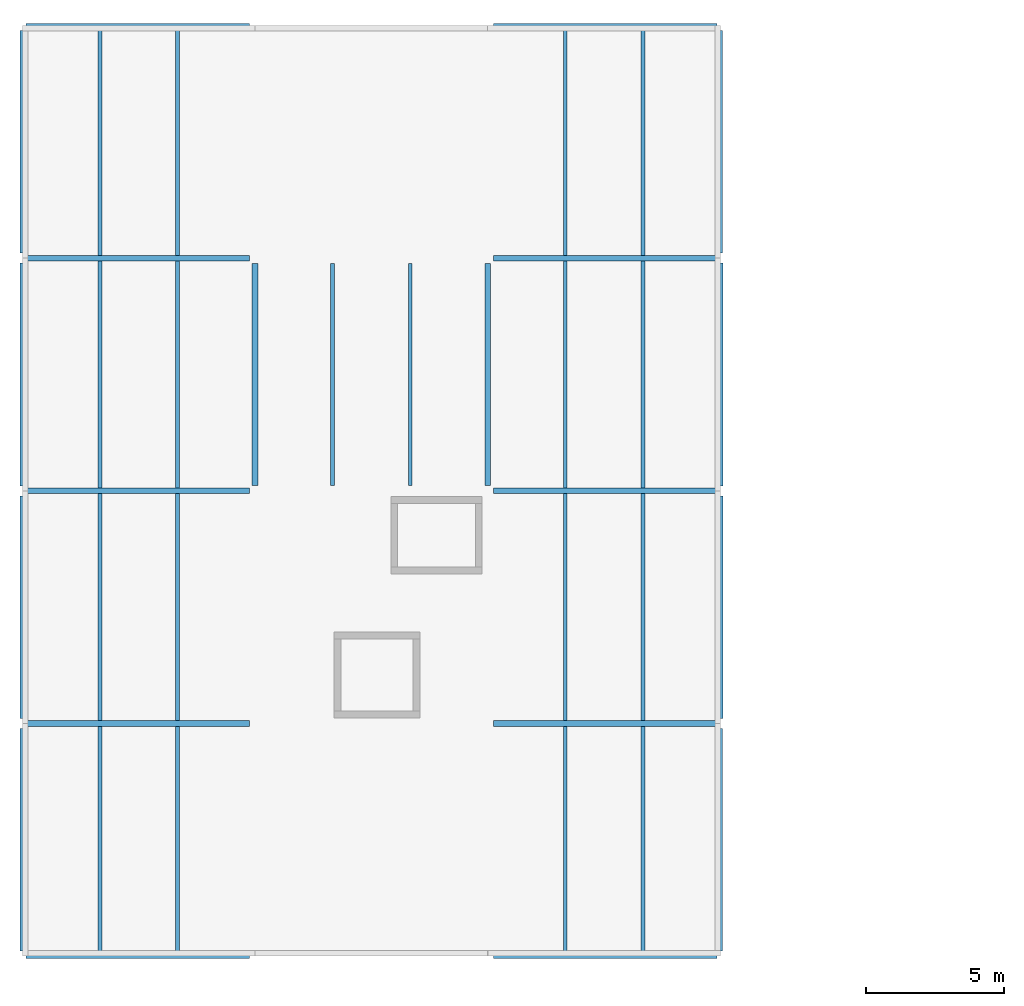
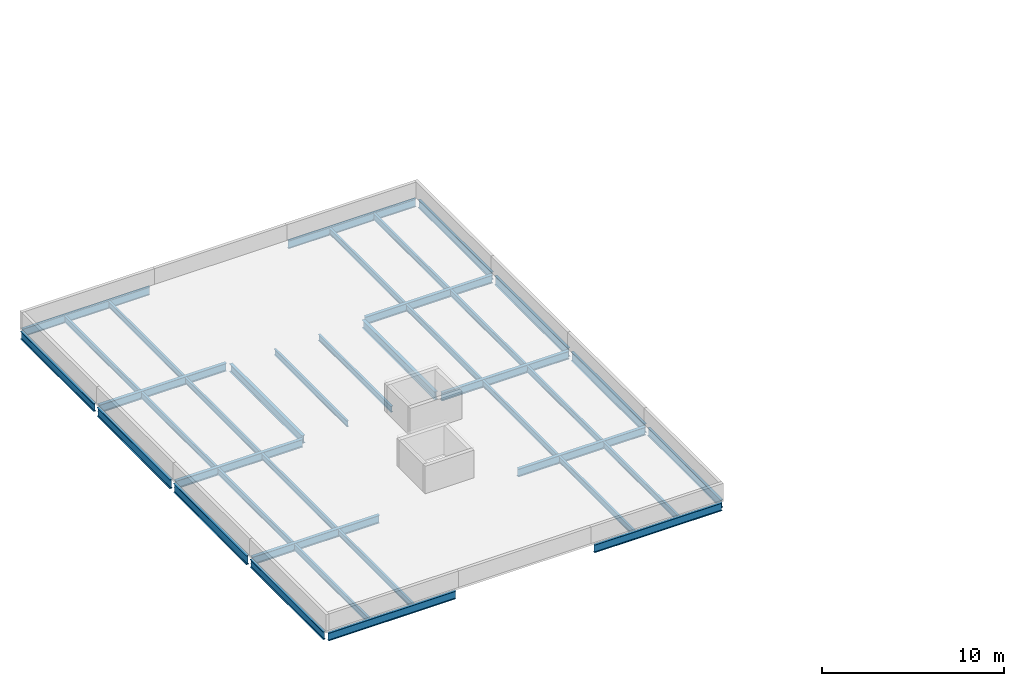
# One storey, part 2 of 14: 38 beams.
"""IFC4 building model written with IfcOpenShell, lengths in metres."""

from ifc_helpers import new_model, si_unit, direction, frame, origin, origin_2d, place, context, subcontext, project, spatial, i_section, extrude, material, material_profile, profile_set, type_object, element, save


model = new_model("IFC4")

# Units and contexts
model_context = context("Model", 3, precision=1e-05, world=origin(), true_north=direction((0.0, 1.0)))
body_context = subcontext(model_context, "Body", "Model", "MODEL_VIEW")
ifc_project = project(units=[si_unit("LENGTHUNIT", "METRE"), si_unit("AREAUNIT", "SQUARE_METRE"), si_unit("VOLUMEUNIT", "CUBIC_METRE"), si_unit("PLANEANGLEUNIT", "RADIAN"), si_unit("MASSUNIT", "GRAM", prefix="KILO")], contexts=[model_context])

# Site, building, storey
site_placement = place(None, origin())
site = spatial("IfcSite", under=ifc_project, at=site_placement, CompositionType="ELEMENT")
building_placement = place(site_placement, origin())
building = spatial("IfcBuilding", under=site, at=building_placement, Name="Hlaing Beacon Police Headquarters", CompositionType="ELEMENT")
storey_placement = place(building_placement, frame((0.0, 0.0, 27.89990234375)))
storey = spatial("IfcBuildingStorey", under=building, at=storey_placement, Name="L06", CompositionType="ELEMENT", Elevation=27.89990234375)

# Beams
ifc_material_1 = material(Name="Steel ASTM A992 Grade 50", Category="steel")
ifc_material_profile_1 = material_profile(ifc_material_1, i_section(OverallWidth=0.1650390625, OverallDepth=0.52587890625, WebThickness=0.0087890625, FlangeThickness=0.011474609375, FilletRadius=0.0126953125, at=origin_2d()), Name="W21x44")
ifc_profile_set_1 = profile_set([ifc_material_profile_1], Name="Steel ASTM A992 Grade 50")
beam_type_1 = type_object("IfcBeamType", Name="Girder W21x44", PredefinedType="BEAM", material=ifc_profile_set_1)
beam_1_placement = place(storey_placement, frame((8.527099609375, 33.60009765625, -0.392822265625), z_axis=(1.0, 0.0, 0.0), x_axis=(0.0, 1.0, 0.0)))
element("IfcBeam", 1, at=beam_1_placement, inside=storey, type_object=beam_type_1, Name="STR-BM-L06-GX-B5-C5", PredefinedType="BEAM", context=body_context, shape_type="SweptSolid", body=[
    extrude(i_section(OverallWidth=0.1650390625, OverallDepth=0.52587890625, WebThickness=0.0087890625, FlangeThickness=0.011474609375, FilletRadius=0.0126953125, at=origin_2d()), origin(), (0.0, 0.0, 1.0), 8.072998046875),
])
beam_2_placement = place(storey_placement, frame((25.39990234375, 33.60009765625, -0.392822265625), z_axis=(1.0, 0.0, 0.0), x_axis=(0.0, 1.0, 0.0)))
element("IfcBeam", 2, at=beam_2_placement, inside=storey, type_object=beam_type_1, Name="STR-BM-L06-GX-D5-E5", PredefinedType="BEAM", context=body_context, shape_type="SweptSolid", body=[
    extrude(i_section(OverallWidth=0.1650390625, OverallDepth=0.52587890625, WebThickness=0.0087890625, FlangeThickness=0.011474609375, FilletRadius=0.0126953125, at=origin_2d()), origin(), (0.0, 0.0, 1.0), 8.072021484375),
])
for number, where, z_axis, x_axis, name in (
    (3, (8.527099609375, 67.199951171875, -0.392822265625), (1.0, 0.0, 0.0), (0.0, 1.0, 0.0), "STR-BM-L06-GX-B9-C9"),
    (4, (25.39990234375, 67.199951171875, -0.392822265625), (1.0, 0.0, 0.0), (0.0, 1.0, 0.0), "STR-BM-L06-GX-D9-E9"),
):
    element("IfcBeam", number, at=place(storey_placement, frame(where, z_axis=z_axis, x_axis=x_axis)), inside=storey, type_object=beam_type_1, Name=name, PredefinedType="BEAM", context=body_context, shape_type="SweptSolid", body=[
        extrude(i_section(OverallWidth=0.1650390625, OverallDepth=0.52587890625, WebThickness=0.0087890625, FlangeThickness=0.011474609375, FilletRadius=0.0126953125, at=origin_2d()), origin(), (0.0, 0.0, 1.0), 8.072998046875),
    ])
for number, where, z_axis, x_axis, name in (
    (5, (8.39990234375, 33.777099609375, -0.392822265625), (0.0, 1.0, 0.0), (-1.0, 0.0, 0.0), "STR-BM-L06-GY-B5-B6"),
    (6, (8.39990234375, 58.98193359375, -0.392822265625), (0.0, 1.0, 0.0), (-1.0, 0.0, 0.0), "STR-BM-L06-GY-B8-B9"),
):
    element("IfcBeam", number, at=place(storey_placement, frame(where, z_axis=z_axis, x_axis=x_axis)), inside=storey, type_object=beam_type_1, Name=name, PredefinedType="BEAM", context=body_context, shape_type="SweptSolid", body=[
        extrude(i_section(OverallWidth=0.1650390625, OverallDepth=0.52587890625, WebThickness=0.0087890625, FlangeThickness=0.011474609375, FilletRadius=0.0126953125, at=origin_2d()), origin(), (0.0, 0.0, 1.0), 8.041015625),
    ])
beam_3_placement = place(storey_placement, frame((33.60009765625, 33.781982421875, -0.392822265625), z_axis=(0.0, 1.0, 0.0), x_axis=(-1.0, 0.0, 0.0)))
element("IfcBeam", 7, at=beam_3_placement, inside=storey, type_object=beam_type_1, Name="STR-BM-L06-GY-E5-E6", PredefinedType="BEAM", context=body_context, shape_type="SweptSolid", body=[
    extrude(i_section(OverallWidth=0.1650390625, OverallDepth=0.52587890625, WebThickness=0.0087890625, FlangeThickness=0.011474609375, FilletRadius=0.0126953125, at=origin_2d()), origin(), (0.0, 0.0, 1.0), 8.0361328125),
])
beam_4_placement = place(storey_placement, frame((33.60009765625, 58.98193359375, -0.392822265625), z_axis=(0.0, 1.0, 0.0), x_axis=(-1.0, 0.0, 0.0)))
element("IfcBeam", 8, at=beam_4_placement, inside=storey, type_object=beam_type_1, Name="STR-BM-L06-GY-E8-E9", PredefinedType="BEAM", context=body_context, shape_type="SweptSolid", body=[
    extrude(i_section(OverallWidth=0.1650390625, OverallDepth=0.52587890625, WebThickness=0.0087890625, FlangeThickness=0.011474609375, FilletRadius=0.0126953125, at=origin_2d()), origin(), (0.0, 0.0, 1.0), 8.041015625),
])
ifc_material_2 = material(Name="Steel ASTM A992 Grade 50", Category="steel")
ifc_material_profile_2 = material_profile(ifc_material_2, i_section(OverallWidth=0.208740234375, OverallDepth=0.5283203125, WebThickness=0.009521484375, FlangeThickness=0.01318359375, FilletRadius=0.0126953125, at=origin_2d()), Name="W21x55")
ifc_profile_set_2 = profile_set([ifc_material_profile_2], Name="Steel ASTM A992 Grade 50")
beam_type_2 = type_object("IfcBeamType", Name="Girder W21x55", PredefinedType="BEAM", material=ifc_profile_set_2)
for number, where, z_axis, x_axis, name in (
    (9, (8.528076171875, 42.0, -0.39404296875), (1.0, 0.0, 0.0), (0.0, 1.0, 0.0), "STR-BM-L06-GX-B6-C6"),
    (10, (25.39990234375, 42.0, -0.39404296875), (1.0, 0.0, 0.0), (0.0, 1.0, 0.0), "STR-BM-L06-GX-D6-E6"),
    (11, (8.528076171875, 50.39990234375, -0.39404296875), (1.0, 0.0, 0.0), (0.0, 1.0, 0.0), "STR-BM-L06-GX-B7-C7"),
    (12, (25.39990234375, 50.39990234375, -0.39404296875), (1.0, 0.0, 0.0), (0.0, 1.0, 0.0), "STR-BM-L06-GX-D7-E7"),
    (13, (8.528076171875, 58.800048828125, -0.39404296875), (1.0, 0.0, 0.0), (0.0, 1.0, 0.0), "STR-BM-L06-GX-B8-C8"),
    (14, (25.39990234375, 58.800048828125, -0.39404296875), (1.0, 0.0, 0.0), (0.0, 1.0, 0.0), "STR-BM-L06-GX-D8-E8"),
):
    element("IfcBeam", number, at=place(storey_placement, frame(where, z_axis=z_axis, x_axis=x_axis)), inside=storey, type_object=beam_type_2, Name=name, PredefinedType="BEAM", context=body_context, shape_type="SweptSolid", body=[
        extrude(i_section(OverallWidth=0.208740234375, OverallDepth=0.5283203125, WebThickness=0.009521484375, FlangeThickness=0.01318359375, FilletRadius=0.0126953125, at=origin_2d()), origin(), (0.0, 0.0, 1.0), 8.072021484375),
    ])
for number, where, z_axis, x_axis, name in (
    (15, (16.800048828125, 50.60009765625, -0.39404296875), (0.0, 1.0, 0.0), (-1.0, 0.0, 0.0), "STR-BM-L06-GY-C7-C8"),
    (16, (25.199951171875, 50.60009765625, -0.39404296875), (0.0, 1.0, 0.0), (-1.0, 0.0, 0.0), "STR-BM-L06-GY-D7-D8"),
):
    element("IfcBeam", number, at=place(storey_placement, frame(where, z_axis=z_axis, x_axis=x_axis)), inside=storey, type_object=beam_type_2, Name=name, PredefinedType="BEAM", context=body_context, shape_type="SweptSolid", body=[
        extrude(i_section(OverallWidth=0.208740234375, OverallDepth=0.5283203125, WebThickness=0.009521484375, FlangeThickness=0.01318359375, FilletRadius=0.0126953125, at=origin_2d()), origin(), (0.0, 0.0, 1.0), 8.0),
    ])
ifc_material_3 = material(Name="Steel ASTM A992 Grade 50", Category="steel")
ifc_material_profile_3 = material_profile(ifc_material_3, i_section(OverallWidth=0.177978515625, OverallDepth=0.599365234375, WebThickness=0.010009765625, FlangeThickness=0.012939453125, FilletRadius=0.012939453125, at=origin_2d()), Name="W24x55")
ifc_profile_set_3 = profile_set([ifc_material_profile_3], Name="Steel ASTM A992 Grade 50")
beam_type_3 = type_object("IfcBeamType", Name="Girder W24x55", PredefinedType="BEAM", material=ifc_profile_set_3)
beam_5_placement = place(storey_placement, frame((8.39990234375, 42.181884765625, -0.4296875), z_axis=(0.0, 1.0, 0.0), x_axis=(-1.0, 0.0, 0.0)))
element("IfcBeam", 17, at=beam_5_placement, inside=storey, type_object=beam_type_3, Name="STR-BM-L06-GY-B6-B7", PredefinedType="BEAM", context=body_context, shape_type="SweptSolid", body=[
    extrude(i_section(OverallWidth=0.177978515625, OverallDepth=0.599365234375, WebThickness=0.010009765625, FlangeThickness=0.012939453125, FilletRadius=0.012939453125, at=origin_2d()), origin(), (0.0, 0.0, 1.0), 8.0361328125),
])
beam_6_placement = place(storey_placement, frame((8.39990234375, 50.58203125, -0.4296875), z_axis=(0.0, 1.0, 0.0), x_axis=(-1.0, 0.0, 0.0)))
element("IfcBeam", 18, at=beam_6_placement, inside=storey, type_object=beam_type_3, Name="STR-BM-L06-GY-B7-B8", PredefinedType="BEAM", context=body_context, shape_type="SweptSolid", body=[
    extrude(i_section(OverallWidth=0.177978515625, OverallDepth=0.599365234375, WebThickness=0.010009765625, FlangeThickness=0.012939453125, FilletRadius=0.012939453125, at=origin_2d()), origin(), (0.0, 0.0, 1.0), 8.035888671875),
])
beam_7_placement = place(storey_placement, frame((33.60009765625, 42.181884765625, -0.4296875), z_axis=(0.0, 1.0, 0.0), x_axis=(-1.0, 0.0, 0.0)))
element("IfcBeam", 19, at=beam_7_placement, inside=storey, type_object=beam_type_3, Name="STR-BM-L06-GY-E6-E7", PredefinedType="BEAM", context=body_context, shape_type="SweptSolid", body=[
    extrude(i_section(OverallWidth=0.177978515625, OverallDepth=0.599365234375, WebThickness=0.010009765625, FlangeThickness=0.012939453125, FilletRadius=0.012939453125, at=origin_2d()), origin(), (0.0, 0.0, 1.0), 8.0361328125),
])
beam_8_placement = place(storey_placement, frame((33.60009765625, 50.58203125, -0.4296875), z_axis=(0.0, 1.0, 0.0), x_axis=(-1.0, 0.0, 0.0)))
element("IfcBeam", 20, at=beam_8_placement, inside=storey, type_object=beam_type_3, Name="STR-BM-L06-GY-E7-E8", PredefinedType="BEAM", context=body_context, shape_type="SweptSolid", body=[
    extrude(i_section(OverallWidth=0.177978515625, OverallDepth=0.599365234375, WebThickness=0.010009765625, FlangeThickness=0.012939453125, FilletRadius=0.012939453125, at=origin_2d()), origin(), (0.0, 0.0, 1.0), 8.035888671875),
])
ifc_material_4 = material(Name="Steel ASTM A992 Grade 50", Category="steel")
ifc_material_profile_4 = material_profile(ifc_material_4, i_section(OverallWidth=0.1396484375, OverallDepth=0.398681640625, WebThickness=0.00634765625, FlangeThickness=0.0087890625, FilletRadius=0.01025390625, at=origin_2d()), Name="W16x26")
ifc_profile_set_4 = profile_set([ifc_material_profile_4], Name="Steel ASTM A992 Grade 50")
beam_type_4 = type_object("IfcBeamType", Name="Secondary beam W16x26", PredefinedType="BEAM", material=ifc_profile_set_4)
for number, where, z_axis, x_axis, name in (
    (21, (11.199951171875, 33.68310546875, -0.329345703125), (0.0, 1.0, 0.0), (-1.0, 0.0, 0.0), "STR-BM-L06-SB-B5-y1"),
    (22, (14.0, 33.68310546875, -0.329345703125), (0.0, 1.0, 0.0), (-1.0, 0.0, 0.0), "STR-BM-L06-SB-B5-y2"),
):
    element("IfcBeam", number, at=place(storey_placement, frame(where, z_axis=z_axis, x_axis=x_axis)), inside=storey, type_object=beam_type_4, Name=name, PredefinedType="BEAM", context=body_context, shape_type="SweptSolid", body=[
        extrude(i_section(OverallWidth=0.1396484375, OverallDepth=0.398681640625, WebThickness=0.00634765625, FlangeThickness=0.0087890625, FilletRadius=0.01025390625, at=origin_2d()), origin(), (0.0, 0.0, 1.0), 8.212890625),
    ])
for number, where, z_axis, x_axis, name in (
    (23, (11.199951171875, 42.10400390625, -0.329345703125), (0.0, 1.0, 0.0), (-1.0, 0.0, 0.0), "STR-BM-L06-SB-B6-y1"),
    (24, (14.0, 42.10400390625, -0.329345703125), (0.0, 1.0, 0.0), (-1.0, 0.0, 0.0), "STR-BM-L06-SB-B6-y2"),
):
    element("IfcBeam", number, at=place(storey_placement, frame(where, z_axis=z_axis, x_axis=x_axis)), inside=storey, type_object=beam_type_4, Name=name, PredefinedType="BEAM", context=body_context, shape_type="SweptSolid", body=[
        extrude(i_section(OverallWidth=0.1396484375, OverallDepth=0.398681640625, WebThickness=0.00634765625, FlangeThickness=0.0087890625, FilletRadius=0.01025390625, at=origin_2d()), origin(), (0.0, 0.0, 1.0), 8.19189453125),
    ])
for number, where, z_axis, x_axis, name in (
    (25, (11.199951171875, 50.50390625, -0.329345703125), (0.0, 1.0, 0.0), (-1.0, 0.0, 0.0), "STR-BM-L06-SB-B7-y1"),
    (26, (14.0, 50.50390625, -0.329345703125), (0.0, 1.0, 0.0), (-1.0, 0.0, 0.0), "STR-BM-L06-SB-B7-y2"),
):
    element("IfcBeam", number, at=place(storey_placement, frame(where, z_axis=z_axis, x_axis=x_axis)), inside=storey, type_object=beam_type_4, Name=name, PredefinedType="BEAM", context=body_context, shape_type="SweptSolid", body=[
        extrude(i_section(OverallWidth=0.1396484375, OverallDepth=0.398681640625, WebThickness=0.00634765625, FlangeThickness=0.0087890625, FilletRadius=0.01025390625, at=origin_2d()), origin(), (0.0, 0.0, 1.0), 8.192138671875),
    ])
for number, where, z_axis, x_axis, name in (
    (27, (11.199951171875, 58.904052734375, -0.329345703125), (0.0, 1.0, 0.0), (-1.0, 0.0, 0.0), "STR-BM-L06-SB-B8-y1"),
    (28, (14.0, 58.904052734375, -0.329345703125), (0.0, 1.0, 0.0), (-1.0, 0.0, 0.0), "STR-BM-L06-SB-B8-y2"),
):
    element("IfcBeam", number, at=place(storey_placement, frame(where, z_axis=z_axis, x_axis=x_axis)), inside=storey, type_object=beam_type_4, Name=name, PredefinedType="BEAM", context=body_context, shape_type="SweptSolid", body=[
        extrude(i_section(OverallWidth=0.1396484375, OverallDepth=0.398681640625, WebThickness=0.00634765625, FlangeThickness=0.0087890625, FilletRadius=0.01025390625, at=origin_2d()), origin(), (0.0, 0.0, 1.0), 8.212890625),
    ])
for number, where, z_axis, x_axis, name in (
    (29, (19.60009765625, 50.60009765625, -0.329345703125), (0.0, 1.0, 0.0), (-1.0, 0.0, 0.0), "STR-BM-L06-SB-C7-y1"),
    (30, (22.39990234375, 50.60009765625, -0.329345703125), (0.0, 1.0, 0.0), (-1.0, 0.0, 0.0), "STR-BM-L06-SB-C7-y2"),
):
    element("IfcBeam", number, at=place(storey_placement, frame(where, z_axis=z_axis, x_axis=x_axis)), inside=storey, type_object=beam_type_4, Name=name, PredefinedType="BEAM", context=body_context, shape_type="SweptSolid", body=[
        extrude(i_section(OverallWidth=0.1396484375, OverallDepth=0.398681640625, WebThickness=0.00634765625, FlangeThickness=0.0087890625, FilletRadius=0.01025390625, at=origin_2d()), origin(), (0.0, 0.0, 1.0), 8.0),
    ])
for number, where, z_axis, x_axis, name in (
    (31, (28.0, 33.68310546875, -0.329345703125), (0.0, 1.0, 0.0), (-1.0, 0.0, 0.0), "STR-BM-L06-SB-D5-y1"),
    (32, (30.800048828125, 33.68310546875, -0.329345703125), (0.0, 1.0, 0.0), (-1.0, 0.0, 0.0), "STR-BM-L06-SB-D5-y2"),
):
    element("IfcBeam", number, at=place(storey_placement, frame(where, z_axis=z_axis, x_axis=x_axis)), inside=storey, type_object=beam_type_4, Name=name, PredefinedType="BEAM", context=body_context, shape_type="SweptSolid", body=[
        extrude(i_section(OverallWidth=0.1396484375, OverallDepth=0.398681640625, WebThickness=0.00634765625, FlangeThickness=0.0087890625, FilletRadius=0.01025390625, at=origin_2d()), origin(), (0.0, 0.0, 1.0), 8.212890625),
    ])
for number, where, z_axis, x_axis, name in (
    (33, (28.0, 42.10400390625, -0.329345703125), (0.0, 1.0, 0.0), (-1.0, 0.0, 0.0), "STR-BM-L06-SB-D6-y1"),
    (34, (30.800048828125, 42.10400390625, -0.329345703125), (0.0, 1.0, 0.0), (-1.0, 0.0, 0.0), "STR-BM-L06-SB-D6-y2"),
):
    element("IfcBeam", number, at=place(storey_placement, frame(where, z_axis=z_axis, x_axis=x_axis)), inside=storey, type_object=beam_type_4, Name=name, PredefinedType="BEAM", context=body_context, shape_type="SweptSolid", body=[
        extrude(i_section(OverallWidth=0.1396484375, OverallDepth=0.398681640625, WebThickness=0.00634765625, FlangeThickness=0.0087890625, FilletRadius=0.01025390625, at=origin_2d()), origin(), (0.0, 0.0, 1.0), 8.19189453125),
    ])
for number, where, z_axis, x_axis, name in (
    (35, (28.0, 50.50390625, -0.329345703125), (0.0, 1.0, 0.0), (-1.0, 0.0, 0.0), "STR-BM-L06-SB-D7-y1"),
    (36, (30.800048828125, 50.50390625, -0.329345703125), (0.0, 1.0, 0.0), (-1.0, 0.0, 0.0), "STR-BM-L06-SB-D7-y2"),
):
    element("IfcBeam", number, at=place(storey_placement, frame(where, z_axis=z_axis, x_axis=x_axis)), inside=storey, type_object=beam_type_4, Name=name, PredefinedType="BEAM", context=body_context, shape_type="SweptSolid", body=[
        extrude(i_section(OverallWidth=0.1396484375, OverallDepth=0.398681640625, WebThickness=0.00634765625, FlangeThickness=0.0087890625, FilletRadius=0.01025390625, at=origin_2d()), origin(), (0.0, 0.0, 1.0), 8.192138671875),
    ])
for number, where, z_axis, x_axis, name in (
    (37, (28.0, 58.904052734375, -0.329345703125), (0.0, 1.0, 0.0), (-1.0, 0.0, 0.0), "STR-BM-L06-SB-D8-y1"),
    (38, (30.800048828125, 58.904052734375, -0.329345703125), (0.0, 1.0, 0.0), (-1.0, 0.0, 0.0), "STR-BM-L06-SB-D8-y2"),
):
    element("IfcBeam", number, at=place(storey_placement, frame(where, z_axis=z_axis, x_axis=x_axis)), inside=storey, type_object=beam_type_4, Name=name, PredefinedType="BEAM", context=body_context, shape_type="SweptSolid", body=[
        extrude(i_section(OverallWidth=0.1396484375, OverallDepth=0.398681640625, WebThickness=0.00634765625, FlangeThickness=0.0087890625, FilletRadius=0.01025390625, at=origin_2d()), origin(), (0.0, 0.0, 1.0), 8.212890625),
    ])

save(model, "model.ifc")
